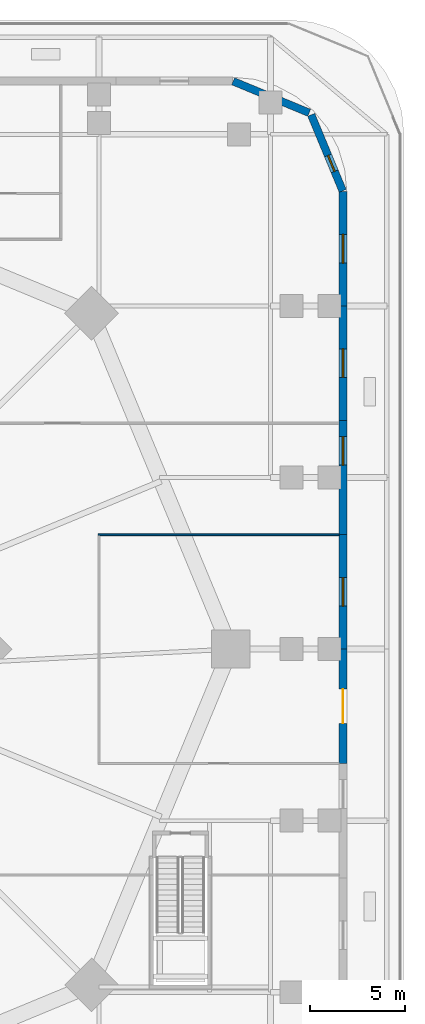
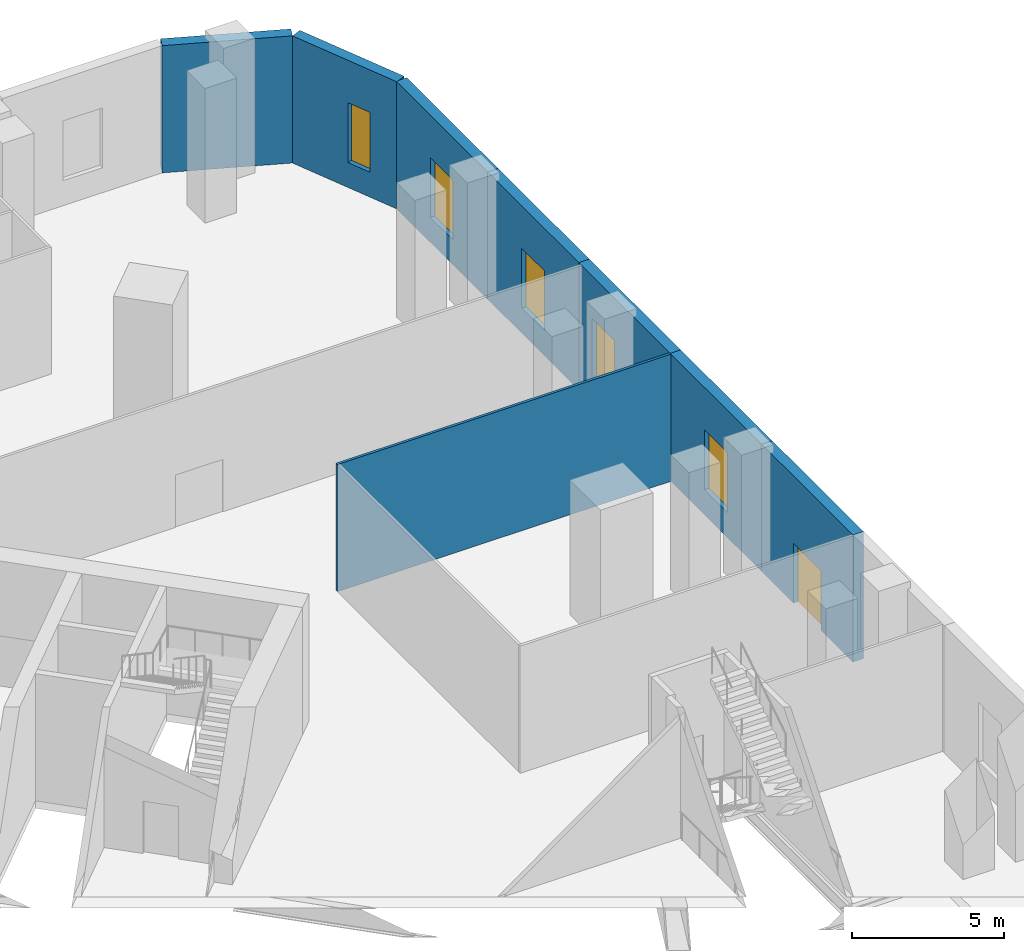
# One storey, part 11 of 19: 8 walls, 5 windows, 1 door, 6 openings.
"""IFC4 building model written with IfcOpenShell, lengths in metres."""

from ifc_helpers import new_model, si_unit, direction, frame, frame_2d, origin, place, context, subcontext, project, spatial, rectangle, extrude, material, layer, layer_set, type_object, element, fill, save


model = new_model("IFC4")

# Units and contexts
model_context = context("Model", 3, precision=1e-05, world=origin(), true_north=direction((0.0, 1.0)))
body_context = subcontext(model_context, "Body", "Model", "MODEL_VIEW")
ifc_project = project(units=[si_unit("LENGTHUNIT", "METRE"), si_unit("AREAUNIT", "SQUARE_METRE"), si_unit("VOLUMEUNIT", "CUBIC_METRE"), si_unit("PLANEANGLEUNIT", "RADIAN"), si_unit("MASSUNIT", "GRAM", prefix="KILO")], contexts=[model_context])

# Site, building, storey
site_placement = place(None, origin())
site = spatial("IfcSite", under=ifc_project, at=site_placement, CompositionType="ELEMENT")
building_placement = place(site_placement, origin())
building = spatial("IfcBuilding", under=site, at=building_placement, Name="Ogive Gate Towers", CompositionType="ELEMENT")
storey_placement = place(building_placement, frame((0.0, 0.0, 12.60009765625)))
storey = spatial("IfcBuildingStorey", under=building, at=storey_placement, Name="L02", CompositionType="ELEMENT", Elevation=12.60009765625)

# Wall
ifc_material_1 = material(Name="Gypsum board partition")
ifc_layer_1 = layer(ifc_material_1, 0.10009765625)
ifc_layer_set_1 = layer_set([ifc_layer_1], Name="Partition wall 100")
wall_type_1 = type_object("IfcWallType", Name="Partition wall 100", PredefinedType="PARTITIONING", material=ifc_layer_set_1)
wall_1_placement = place(storey_placement, frame((53.949951171875, 6.0, 0.0), z_axis=(0.0, 0.0, 1.0), x_axis=(1.0, 0.0, 0.0)))
element("IfcWall", 1, at=wall_1_placement, inside=storey, type_object=wall_type_1, Name="L02 partition 062", PredefinedType="PARTITIONING", context=body_context, shape_type="SweptSolid", body=[
    extrude(rectangle(XDim=12.650146484375, YDim=0.10009765625, at=frame_2d((6.3251953125, 0.0))), origin(), (0.0, 0.0, 1.0), 5.099853515625),
])

# Wall, opening, door
ifc_material_2 = material(Name="Precast concrete C40/50", Category="concrete")
ifc_layer_2 = layer(ifc_material_2, 0.39990234375)
ifc_layer_set_2 = layer_set([ifc_layer_2], Name="Podium wall 400")
wall_type_2 = type_object("IfcWallType", Name="Podium wall 400", PredefinedType="SOLIDWALL", material=ifc_layer_set_2)
wall_2_placement = place(storey_placement, frame((66.800048828125, -6.0, 0.0), z_axis=(0.0, 0.0, 1.0), x_axis=(0.0, 1.0, 0.0)))
wall_2 = element("IfcWall", 2, at=wall_2_placement, inside=storey, type_object=wall_type_2, Name="Podium wall", PredefinedType="SOLIDWALL", context=body_context, shape_type="SweptSolid", body=[
    extrude(rectangle(XDim=6.0, YDim=0.39990234375, at=frame_2d((3.0, 0.0))), origin(), (0.0, 0.0, 1.0), 5.099853515625),
])
opening_1_placement = place(wall_2_placement, frame((2.10009765625, 0.0, 0.0)))
opening_1 = element("IfcOpeningElement", 3, at=opening_1_placement, cuts=wall_2, Name="Opening ED3-L02-01", PredefinedType="OPENING", context=body_context, shape_type="SweptSolid", body=[
    extrude(rectangle(XDim=1.800048828125, YDim=2.39990234375, at=frame_2d((0.89990234375, 1.199951171875))), frame((0.0, 0.2099609375, 0.0), z_axis=(0.0, -1.0, 0.0), x_axis=(1.0, 0.0, 0.0)), (0.0, 0.0, 1.0), 0.419921875),
])
ifc_material_3 = material(Name="Pale metal aluminium", Category="aluminium")
door_type = type_object("IfcDoorType", Name="Terrace door 1800 x 2400", OperationType="DOUBLE_DOOR_SINGLE_SWING", PredefinedType="DOOR", material=ifc_material_3)
door_placement = place(opening_1_placement, origin())
door = element("IfcDoor", 4, at=door_placement, inside=storey, type_object=door_type, Name="Exterior door", OperationType="SINGLE_SWING_LEFT", OverallHeight=2.39990234375, OverallWidth=1.800048828125, PredefinedType="DOOR", context=body_context, shape_type="SweptSolid", body=[
    extrude(rectangle(XDim=1.800048828125, YDim=2.39990234375, at=frame_2d((0.89990234375, 1.199951171875))), frame((0.0, 0.02490234375, 0.0), z_axis=(0.0, -1.0, 0.0), x_axis=(1.0, 0.0, 0.0)), (0.0, 0.0, 1.0), 0.050048828125),
])
fill(opening_1, door)

# Wall, opening, window
wall_3_placement = place(storey_placement, frame((66.800048828125, 0.0, 0.0), z_axis=(0.0, 0.0, 1.0), x_axis=(0.0, 1.0, 0.0)))
wall_3 = element("IfcWall", 5, at=wall_3_placement, inside=storey, type_object=wall_type_2, Name="Podium wall", PredefinedType="SOLIDWALL", context=body_context, shape_type="SweptSolid", body=[
    extrude(rectangle(XDim=6.0, YDim=0.39990234375, at=frame_2d((3.0, 0.0))), origin(), (0.0, 0.0, 1.0), 5.099853515625),
])
opening_2_placement = place(wall_3_placement, frame((2.25, 0.0, 1.0)))
opening_2 = element("IfcOpeningElement", 6, at=opening_2_placement, cuts=wall_3, Name="Opening WN2", PredefinedType="OPENING", context=body_context, shape_type="SweptSolid", body=[
    extrude(rectangle(XDim=1.5, YDim=2.39990234375, at=frame_2d((0.75, 1.199951171875))), frame((0.0, 0.2099609375, 0.0), z_axis=(0.0, -1.0, 0.0), x_axis=(1.0, 0.0, 0.0)), (0.0, 0.0, 1.0), 0.419921875),
])
ifc_material_4 = material(Name="Clear glass", Category="glass")
window_type_1 = type_object("IfcWindowType", Name="Podium window 1500 x 2400", PartitioningType="SINGLE_PANEL", PredefinedType="WINDOW", material=ifc_material_4)
window_1_placement = place(opening_2_placement, origin())
window_1 = element("IfcWindow", 7, at=window_1_placement, inside=storey, type_object=window_type_1, Name="Podium window", OverallHeight=2.39990234375, OverallWidth=1.5, PartitioningType="SINGLE_PANEL", PredefinedType="WINDOW", context=body_context, shape_type="SweptSolid", body=[
    extrude(rectangle(XDim=1.5, YDim=2.39990234375, at=frame_2d((0.75, 1.199951171875))), frame((0.0, 0.030029296875, 0.0), z_axis=(0.0, -1.0, 0.0), x_axis=(1.0, 0.0, 0.0)), (0.0, 0.0, 1.0), 0.06005859375),
])
fill(opening_2, window_1)

wall_4_placement = place(storey_placement, frame((66.800048828125, 6.0, 0.0), z_axis=(0.0, 0.0, 1.0), x_axis=(0.0, 1.0, 0.0)))
wall_4 = element("IfcWall", 8, at=wall_4_placement, inside=storey, type_object=wall_type_2, Name="Podium wall", PredefinedType="SOLIDWALL", context=body_context, shape_type="SweptSolid", body=[
    extrude(rectangle(XDim=6.0, YDim=0.39990234375, at=frame_2d((3.0, 0.0))), origin(), (0.0, 0.0, 1.0), 5.099853515625),
])
opening_3_placement = place(wall_4_placement, frame((3.64990234375, 0.0, 1.0)))
opening_3 = element("IfcOpeningElement", 9, at=opening_3_placement, cuts=wall_4, Name="Opening WN2", PredefinedType="OPENING", context=body_context, shape_type="SweptSolid", body=[
    extrude(rectangle(XDim=1.5, YDim=2.39990234375, at=frame_2d((0.75, 1.199951171875))), frame((0.0, 0.2099609375, 0.0), z_axis=(0.0, -1.0, 0.0), x_axis=(1.0, 0.0, 0.0)), (0.0, 0.0, 1.0), 0.419921875),
])
window_2_placement = place(opening_3_placement, origin())
window_2 = element("IfcWindow", 10, at=window_2_placement, inside=storey, type_object=window_type_1, Name="Podium window", OverallHeight=2.39990234375, OverallWidth=1.5, PartitioningType="SINGLE_PANEL", PredefinedType="WINDOW", context=body_context, shape_type="SweptSolid", body=[
    extrude(rectangle(XDim=1.5, YDim=2.39990234375, at=frame_2d((0.75, 1.199951171875))), frame((0.0, 0.030029296875, 0.0), z_axis=(0.0, -1.0, 0.0), x_axis=(1.0, 0.0, 0.0)), (0.0, 0.0, 1.0), 0.06005859375),
])
fill(opening_3, window_2)

wall_5_placement = place(storey_placement, frame((66.800048828125, 12.0, 0.0), z_axis=(0.0, 0.0, 1.0), x_axis=(0.0, 1.0, 0.0)))
wall_5 = element("IfcWall", 11, at=wall_5_placement, inside=storey, type_object=wall_type_2, Name="Podium wall", PredefinedType="SOLIDWALL", context=body_context, shape_type="SweptSolid", body=[
    extrude(rectangle(XDim=6.0, YDim=0.39990234375, at=frame_2d((3.0, 0.0))), origin(), (0.0, 0.0, 1.0), 5.099853515625),
])
opening_4_placement = place(wall_5_placement, frame((2.25, 0.0, 1.0)))
opening_4 = element("IfcOpeningElement", 12, at=opening_4_placement, cuts=wall_5, Name="Opening WN2", PredefinedType="OPENING", context=body_context, shape_type="SweptSolid", body=[
    extrude(rectangle(XDim=1.5, YDim=2.39990234375, at=frame_2d((0.75, 1.199951171875))), frame((0.0, 0.2099609375, 0.0), z_axis=(0.0, -1.0, 0.0), x_axis=(1.0, 0.0, 0.0)), (0.0, 0.0, 1.0), 0.419921875),
])
window_3_placement = place(opening_4_placement, origin())
window_3 = element("IfcWindow", 13, at=window_3_placement, inside=storey, type_object=window_type_1, Name="Podium window", OverallHeight=2.39990234375, OverallWidth=1.5, PartitioningType="SINGLE_PANEL", PredefinedType="WINDOW", context=body_context, shape_type="SweptSolid", body=[
    extrude(rectangle(XDim=1.5, YDim=2.39990234375, at=frame_2d((0.75, 1.199951171875))), frame((0.0, 0.030029296875, 0.0), z_axis=(0.0, -1.0, 0.0), x_axis=(1.0, 0.0, 0.0)), (0.0, 0.0, 1.0), 0.06005859375),
])
fill(opening_4, window_3)

wall_6_placement = place(storey_placement, frame((66.800048828125, 18.0, 0.0), z_axis=(0.0, 0.0, 1.0), x_axis=(0.0, 1.0, 0.0)))
wall_6 = element("IfcWall", 14, at=wall_6_placement, inside=storey, type_object=wall_type_2, Name="Podium wall", PredefinedType="SOLIDWALL", context=body_context, shape_type="SweptSolid", body=[
    extrude(rectangle(XDim=6.0, YDim=0.39990234375, at=frame_2d((3.0, 0.0))), origin(), (0.0, 0.0, 1.0), 5.099853515625),
])
opening_5_placement = place(wall_6_placement, frame((2.25, 0.0, 1.0)))
opening_5 = element("IfcOpeningElement", 15, at=opening_5_placement, cuts=wall_6, Name="Opening WN2", PredefinedType="OPENING", context=body_context, shape_type="SweptSolid", body=[
    extrude(rectangle(XDim=1.5, YDim=2.39990234375, at=frame_2d((0.75, 1.199951171875))), frame((0.0, 0.2099609375, 0.0), z_axis=(0.0, -1.0, 0.0), x_axis=(1.0, 0.0, 0.0)), (0.0, 0.0, 1.0), 0.419921875),
])
window_4_placement = place(opening_5_placement, origin())
window_4 = element("IfcWindow", 16, at=window_4_placement, inside=storey, type_object=window_type_1, Name="Podium window", OverallHeight=2.39990234375, OverallWidth=1.5, PartitioningType="SINGLE_PANEL", PredefinedType="WINDOW", context=body_context, shape_type="SweptSolid", body=[
    extrude(rectangle(XDim=1.5, YDim=2.39990234375, at=frame_2d((0.75, 1.199951171875))), frame((0.0, 0.030029296875, 0.0), z_axis=(0.0, -1.0, 0.0), x_axis=(1.0, 0.0, 0.0)), (0.0, 0.0, 1.0), 0.06005859375),
])
fill(opening_5, window_4)

wall_7_placement = place(storey_placement, frame((66.784912109375, 24.036865234375, 0.0), z_axis=(0.0, 0.0, 1.0), x_axis=(-0.382743086333, 0.923854820772, 0.0)))
wall_7 = element("IfcWall", 17, at=wall_7_placement, inside=storey, type_object=wall_type_2, Name="Podium wall", PredefinedType="SOLIDWALL", context=body_context, shape_type="SweptSolid", body=[
    extrude(rectangle(XDim=4.31640625, YDim=0.39990234375, at=frame_2d((2.158203125, 0.0))), origin(), (0.0, 0.0, 1.0), 5.099853515625),
])
opening_6_placement = place(wall_7_placement, frame((1.1083984375, 0.0, 1.0)))
opening_6 = element("IfcOpeningElement", 18, at=opening_6_placement, cuts=wall_7, Name="Opening WN5", PredefinedType="OPENING", context=body_context, shape_type="SweptSolid", body=[
    extrude(rectangle(XDim=0.89990234375, YDim=2.39990234375, at=frame_2d((0.449951171875, 1.199951171875))), frame((0.0, 0.2099609375, 0.0), z_axis=(0.0, -1.0, 0.0), x_axis=(1.0, 0.0, 0.0)), (0.0, 0.0, 1.0), 0.419921875),
])
window_type_2 = type_object("IfcWindowType", Name="Narrow window 900 x 2400", PartitioningType="SINGLE_PANEL", PredefinedType="WINDOW", material=ifc_material_4)
window_5_placement = place(opening_6_placement, origin())
window_5 = element("IfcWindow", 19, at=window_5_placement, inside=storey, type_object=window_type_2, Name="Podium window", OverallHeight=2.39990234375, OverallWidth=0.89990234375, PartitioningType="SINGLE_PANEL", PredefinedType="WINDOW", context=body_context, shape_type="SweptSolid", body=[
    extrude(rectangle(XDim=0.89990234375, YDim=2.39990234375, at=frame_2d((0.449951171875, 1.199951171875))), frame((0.0, 0.030029296875, 0.0), z_axis=(0.0, -1.0, 0.0), x_axis=(1.0, 0.0, 0.0)), (0.0, 0.0, 1.0), 0.06005859375),
])
fill(opening_6, window_5)

# Wall
wall_8_placement = place(storey_placement, frame((65.024658203125, 28.1328125, 0.0), z_axis=(0.0, 0.0, 1.0), x_axis=(-0.923854820772, 0.382743086333, 0.0)))
element("IfcWall", 20, at=wall_8_placement, inside=storey, type_object=wall_type_2, Name="Podium wall", PredefinedType="SOLIDWALL", context=body_context, shape_type="SweptSolid", body=[
    extrude(rectangle(XDim=4.31640625, YDim=0.39990234375, at=frame_2d((2.158203125, 0.0))), origin(), (0.0, 0.0, 1.0), 5.099853515625),
])

save(model, "model.ifc")
